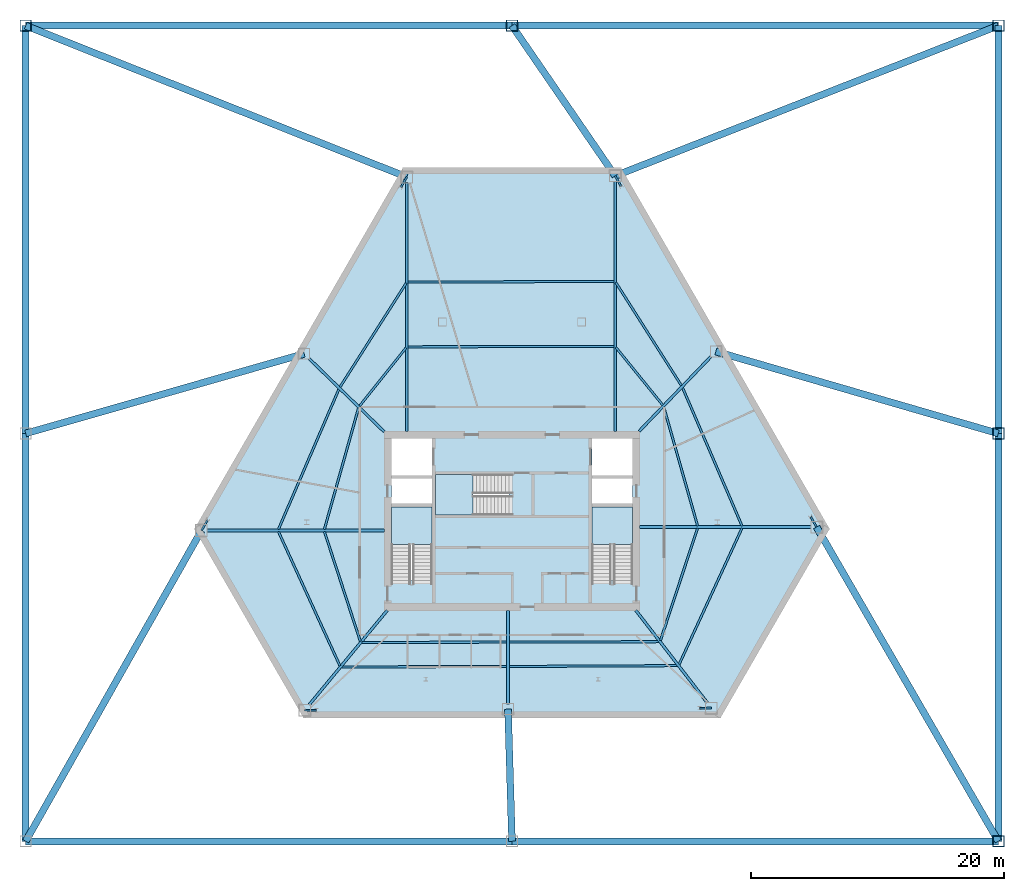
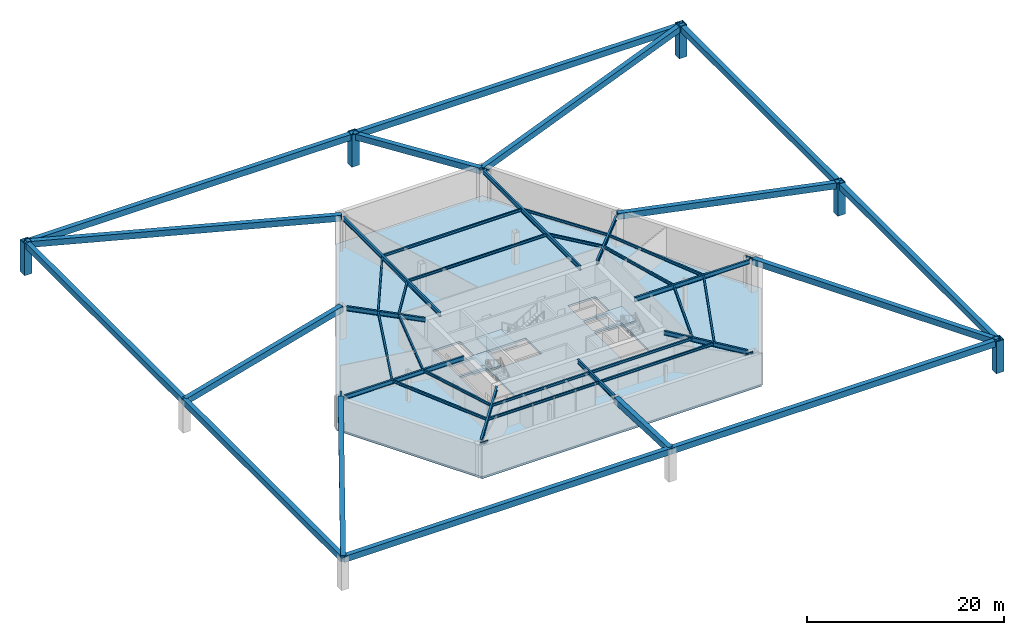
# One storey, part 5 of 8: 49 beams, 5 columns, 4 slabs, 3 elements without a shape of their own.
"""IFC4 building model written with IfcOpenShell, lengths in metres."""

from ifc_helpers import new_model, si_unit, direction, frame, origin, origin_2d, place, context, subcontext, project, spatial, polyline, hollow_rectangle, i_section, outline, extrude, material, layer, layer_set, material_profile, profile_set, type_object, element, aggregate, save


model = new_model("IFC4")

# Units and contexts
model_context = context("Model", 3, precision=1e-05, world=origin(), true_north=direction((0.0, 1.0)))
body_context = subcontext(model_context, "Body", "Model", "MODEL_VIEW")
ifc_project = project(units=[si_unit("LENGTHUNIT", "METRE"), si_unit("AREAUNIT", "SQUARE_METRE"), si_unit("VOLUMEUNIT", "CUBIC_METRE"), si_unit("PLANEANGLEUNIT", "RADIAN"), si_unit("MASSUNIT", "GRAM", prefix="KILO")], contexts=[model_context])

# Site, building, storey
site_placement = place(None, origin())
site = spatial("IfcSite", under=ifc_project, at=site_placement, CompositionType="ELEMENT")
building_placement = place(site_placement, origin())
building = spatial("IfcBuilding", under=site, at=building_placement, Name="Kavelnor Concourse Tower", CompositionType="ELEMENT")
storey_placement = place(building_placement, frame((0.0, 0.0, -4.199951171875)))
storey = spatial("IfcBuildingStorey", under=building, at=storey_placement, Name="B01", CompositionType="ELEMENT", Elevation=-4.199951171875)

# Columns
ifc_material_1 = material(Name="Steel Grade 350", Category="steel")
ifc_material_profile_1 = material_profile(ifc_material_1, hollow_rectangle(XDim=0.89990234375, YDim=0.89990234375, WallThickness=0.0380859375, at=origin_2d()), Name="SHS 900x900x38")
ifc_profile_set_1 = profile_set([ifc_material_profile_1], Name="Steel Grade 350")
column_type = type_object("IfcColumnType", Name="COL-MEGA-900", PredefinedType="COLUMN", material=ifc_profile_set_1)
for number, where, z_axis, x_axis, name in (
    (1, (76.39990234375, -9.199951171875, 0.0), (0.0, 0.0, 1.0), (1.0, 0.0, 0.0), "B01 Plaza Support Column PLZ-SE"),
    (2, (76.39990234375, 23.0, 0.0), (0.0, 0.0, 1.0), (1.0, 0.0, 0.0), "B01 Plaza Support Column PLZ-E"),
    (3, (76.39990234375, 55.199951171875, 0.0), (0.0, 0.0, 1.0), (1.0, 0.0, 0.0), "B01 Plaza Support Column PLZ-NE"),
    (4, (38.0, 55.199951171875, 0.0), (0.0, 0.0, 1.0), (1.0, 0.0, 0.0), "B01 Plaza Support Column PLZ-N"),
    (5, (-0.39990234375, 55.199951171875, 0.0), (0.0, 0.0, 1.0), (1.0, 0.0, 0.0), "B01 Plaza Support Column PLZ-NW"),
):
    element("IfcColumn", number, at=place(storey_placement, frame(where, z_axis=z_axis, x_axis=x_axis)), inside=storey, type_object=column_type, Name=name, PredefinedType="COLUMN", context=body_context, shape_type="SweptSolid", body=[
        extrude(hollow_rectangle(XDim=0.89990234375, YDim=0.89990234375, WallThickness=0.0380859375, at=origin_2d()), origin(), (0.0, 0.0, 1.0), 3.97998046875),
    ])

# Beams
ifc_material_profile_2 = material_profile(ifc_material_1, i_section(OverallWidth=0.166015625, OverallDepth=0.306884765625, WebThickness=0.006591796875, FlangeThickness=0.01171875, at=origin_2d()), Name="310UB46")
ifc_profile_set_2 = profile_set([ifc_material_profile_2], Name="Steel Grade 350")
beam_type_1 = type_object("IfcBeamType", Name="BM-JOIST-310", PredefinedType="JOIST", material=ifc_profile_set_2)
beam_1_placement = place(storey_placement, frame((23.188720703125, 15.24609375, 3.786376953125), z_axis=(0.311389535049, -0.950282356703, 0.0), x_axis=(0.950282356703, 0.311389535049, 0.0)))
element("IfcBeam", 6, at=beam_1_placement, inside=storey, type_object=beam_type_1, Name="B01 Composite Floor Joist 01-1", PredefinedType="JOIST", context=body_context, shape_type="SweptSolid", body=[
    extrude(i_section(OverallWidth=0.166015625, OverallDepth=0.306884765625, WebThickness=0.006591796875, FlangeThickness=0.01171875, at=origin_2d()), origin(), (0.0, 0.0, 1.0), 9.105712890625),
])
beam_2_placement = place(storey_placement, frame((19.5576171875, 15.250244140625, 3.786376953125), z_axis=(0.416568886503, -0.909104153988, 0.0), x_axis=(0.909104153988, 0.416568886503, 0.0)))
element("IfcBeam", 7, at=beam_2_placement, inside=storey, type_object=beam_type_1, Name="B01 Composite Floor Joist 01-2", PredefinedType="JOIST", context=body_context, shape_type="SweptSolid", body=[
    extrude(i_section(OverallWidth=0.166015625, OverallDepth=0.306884765625, WebThickness=0.006591796875, FlangeThickness=0.01171875, at=origin_2d()), origin(), (0.0, 0.0, 1.0), 11.656494140625),
])
beam_3_placement = place(storey_placement, frame((26.15283203125, 6.5, 3.786376953125), z_axis=(0.999997855186, 0.002071140453, 0.0), x_axis=(-0.002071140453, 0.999997855186, 0.0)))
element("IfcBeam", 8, at=beam_3_placement, inside=storey, type_object=beam_type_1, Name="B01 Composite Floor Joist 02-1", PredefinedType="JOIST", context=body_context, shape_type="SweptSolid", body=[
    extrude(i_section(OverallWidth=0.166015625, OverallDepth=0.306884765625, WebThickness=0.006591796875, FlangeThickness=0.01171875, at=origin_2d()), origin(), (0.0, 0.0, 1.0), 11.43408203125),
])
beam_4_placement = place(storey_placement, frame((24.55224609375, 4.564453125, 3.786376953125), z_axis=(0.999996362753, 0.002697124485, 0.0), x_axis=(-0.002697124485, 0.999996362753, 0.0)))
element("IfcBeam", 9, at=beam_4_placement, inside=storey, type_object=beam_type_1, Name="B01 Composite Floor Joist 02-2", PredefinedType="JOIST", context=body_context, shape_type="SweptSolid", body=[
    extrude(i_section(OverallWidth=0.166015625, OverallDepth=0.306884765625, WebThickness=0.006591796875, FlangeThickness=0.01171875, at=origin_2d()), origin(), (0.0, 0.0, 1.0), 13.03466796875),
])
beam_5_placement = place(storey_placement, frame((37.782958984375, 6.5244140625, 3.786376953125), z_axis=(0.999995630485, 0.002956181654, 0.0), x_axis=(-0.002956181654, 0.999995630485, 0.0)))
element("IfcBeam", 10, at=beam_5_placement, inside=storey, type_object=beam_type_1, Name="B01 Composite Floor Joist 03-1", PredefinedType="JOIST", context=body_context, shape_type="SweptSolid", body=[
    extrude(i_section(OverallWidth=0.166015625, OverallDepth=0.306884765625, WebThickness=0.006591796875, FlangeThickness=0.01171875, at=origin_2d()), origin(), (0.0, 0.0, 1.0), 11.809814453125),
])
beam_6_placement = place(storey_placement, frame((37.782958984375, 4.6005859375, 3.786376953125), z_axis=(0.999986830206, 0.005132193915, 0.0), x_axis=(-0.005132193915, 0.999986830206, 0.0)))
element("IfcBeam", 11, at=beam_6_placement, inside=storey, type_object=beam_type_1, Name="B01 Composite Floor Joist 03-2", PredefinedType="JOIST", context=body_context, shape_type="SweptSolid", body=[
    extrude(i_section(OverallWidth=0.166015625, OverallDepth=0.306884765625, WebThickness=0.006591796875, FlangeThickness=0.01171875, at=origin_2d()), origin(), (0.0, 0.0, 1.0), 13.272216796875),
])
beam_7_placement = place(storey_placement, frame((49.721435546875, 6.652587890625, 3.786376953125), z_axis=(0.313756274904, 0.949503554474, 0.0), x_axis=(-0.949503554474, 0.313756274904, 0.0)))
element("IfcBeam", 12, at=beam_7_placement, inside=storey, type_object=beam_type_1, Name="B01 Composite Floor Joist 04-1", PredefinedType="JOIST", context=body_context, shape_type="SweptSolid", body=[
    extrude(i_section(OverallWidth=0.166015625, OverallDepth=0.306884765625, WebThickness=0.006591796875, FlangeThickness=0.01171875, at=origin_2d()), origin(), (0.0, 0.0, 1.0), 9.339111328125),
])
beam_8_placement = place(storey_placement, frame((51.194091796875, 4.75830078125, 3.786376953125), z_axis=(0.418880576802, 0.908041332968, 0.0), x_axis=(-0.908041332968, 0.418880576802, 0.0)))
element("IfcBeam", 13, at=beam_8_placement, inside=storey, type_object=beam_type_1, Name="B01 Composite Floor Joist 04-2", PredefinedType="JOIST", context=body_context, shape_type="SweptSolid", body=[
    extrude(i_section(OverallWidth=0.166015625, OverallDepth=0.306884765625, WebThickness=0.006591796875, FlangeThickness=0.01171875, at=origin_2d()), origin(), (0.0, 0.0, 1.0), 11.856201171875),
])
beam_9_placement = place(storey_placement, frame((52.655517578125, 15.70751953125, 3.786376953125), z_axis=(-0.273853851398, 0.961771317972, 0.0), x_axis=(-0.961771317972, -0.273853851398, 0.0)))
element("IfcBeam", 14, at=beam_9_placement, inside=storey, type_object=beam_type_1, Name="B01 Composite Floor Joist 05-1", PredefinedType="JOIST", context=body_context, shape_type="SweptSolid", body=[
    extrude(i_section(OverallWidth=0.166015625, OverallDepth=0.306884765625, WebThickness=0.006591796875, FlangeThickness=0.01171875, at=origin_2d()), origin(), (0.0, 0.0, 1.0), 9.7421875),
])
beam_10_placement = place(storey_placement, frame((56.162841796875, 15.703125, 3.786376953125), z_axis=(-0.39521166435, 0.918590082878, 0.0), x_axis=(-0.918590082878, -0.39521166435, 0.0)))
element("IfcBeam", 15, at=beam_10_placement, inside=storey, type_object=beam_type_1, Name="B01 Composite Floor Joist 05-2", PredefinedType="JOIST", context=body_context, shape_type="SweptSolid", body=[
    extrude(i_section(OverallWidth=0.166015625, OverallDepth=0.306884765625, WebThickness=0.006591796875, FlangeThickness=0.01171875, at=origin_2d()), origin(), (0.0, 0.0, 1.0), 11.875),
])
beam_11_placement = place(storey_placement, frame((49.89892578125, 25.247802734375, 3.786376953125), z_axis=(-0.630228598423, 0.776409630112, 0.0), x_axis=(-0.776409630112, -0.630228598423, 0.0)))
element("IfcBeam", 16, at=beam_11_placement, inside=storey, type_object=beam_type_1, Name="B01 Composite Floor Joist 06-1", PredefinedType="JOIST", context=body_context, shape_type="SweptSolid", body=[
    extrude(i_section(OverallWidth=0.166015625, OverallDepth=0.306884765625, WebThickness=0.006591796875, FlangeThickness=0.01171875, at=origin_2d()), origin(), (0.0, 0.0, 1.0), 5.85888671875),
])
beam_12_placement = place(storey_placement, frame((51.37841796875, 26.783935546875, 3.786376953125), z_axis=(-0.53695899009, 0.843608346901, 0.0), x_axis=(-0.843608346901, -0.53695899009, 0.0)))
element("IfcBeam", 17, at=beam_12_placement, inside=storey, type_object=beam_type_1, Name="B01 Composite Floor Joist 06-2", PredefinedType="JOIST", context=body_context, shape_type="SweptSolid", body=[
    extrude(i_section(OverallWidth=0.166015625, OverallDepth=0.306884765625, WebThickness=0.006591796875, FlangeThickness=0.01171875, at=origin_2d()), origin(), (0.0, 0.0, 1.0), 9.648681640625),
])
for number, where, z_axis, x_axis, name in (
    (18, (46.046875, 29.87255859375, 3.786376953125), (-0.999998293455, -0.001847453965, 0.0), (0.001847453965, -0.999998293455, 0.0), "B01 Composite Floor Joist 07-1"),
    (19, (46.046875, 35.005859375, 3.786376953125), (-0.999994639343, -0.003274337339, 0.0), (0.003274337339, -0.999994639343, 0.0), "B01 Composite Floor Joist 07-2"),
):
    element("IfcBeam", number, at=place(storey_placement, frame(where, z_axis=z_axis, x_axis=x_axis)), inside=storey, type_object=beam_type_1, Name=name, PredefinedType="JOIST", context=body_context, shape_type="SweptSolid", body=[
        extrude(i_section(OverallWidth=0.166015625, OverallDepth=0.306884765625, WebThickness=0.006591796875, FlangeThickness=0.01171875, at=origin_2d()), origin(), (0.0, 0.0, 1.0), 16.25439453125),
    ])
beam_13_placement = place(storey_placement, frame((29.633544921875, 29.765625, 3.786376953125), z_axis=(-0.623717898065, -0.781649527367, 0.0), x_axis=(0.781649527367, -0.623717898065, 0.0)))
element("IfcBeam", 20, at=beam_13_placement, inside=storey, type_object=beam_type_1, Name="B01 Composite Floor Joist 08-1", PredefinedType="JOIST", context=body_context, shape_type="SweptSolid", body=[
    extrude(i_section(OverallWidth=0.166015625, OverallDepth=0.306884765625, WebThickness=0.006591796875, FlangeThickness=0.01171875, at=origin_2d()), origin(), (0.0, 0.0, 1.0), 5.883544921875),
])
beam_14_placement = place(storey_placement, frame((29.64208984375, 34.86962890625, 3.786376953125), z_axis=(-0.536966474052, -0.843603583293, 0.0), x_axis=(0.843603583293, -0.536966474052, 0.0)))
element("IfcBeam", 21, at=beam_14_placement, inside=storey, type_object=beam_type_1, Name="B01 Composite Floor Joist 08-2", PredefinedType="JOIST", context=body_context, shape_type="SweptSolid", body=[
    extrude(i_section(OverallWidth=0.166015625, OverallDepth=0.306884765625, WebThickness=0.006591796875, FlangeThickness=0.01171875, at=origin_2d()), origin(), (0.0, 0.0, 1.0), 9.72314453125),
])
beam_15_placement = place(storey_placement, frame((25.876220703125, 24.995849609375, 3.786376953125), z_axis=(-0.270934178877, -0.962597875915, 0.0), x_axis=(0.962597875915, -0.270934178877, 0.0)))
element("IfcBeam", 22, at=beam_15_placement, inside=storey, type_object=beam_type_1, Name="B01 Composite Floor Joist 09-1", PredefinedType="JOIST", context=body_context, shape_type="SweptSolid", body=[
    extrude(i_section(OverallWidth=0.166015625, OverallDepth=0.306884765625, WebThickness=0.006591796875, FlangeThickness=0.01171875, at=origin_2d()), origin(), (0.0, 0.0, 1.0), 9.933837890625),
])
beam_16_placement = place(storey_placement, frame((24.329833984375, 26.494384765625, 3.786376953125), z_axis=(-0.396157757057, -0.91818246091, 0.0), x_axis=(0.91818246091, -0.396157757057, 0.0)))
element("IfcBeam", 23, at=beam_16_placement, inside=storey, type_object=beam_type_1, Name="B01 Composite Floor Joist 09-2", PredefinedType="JOIST", context=body_context, shape_type="SweptSolid", body=[
    extrude(i_section(OverallWidth=0.166015625, OverallDepth=0.306884765625, WebThickness=0.006591796875, FlangeThickness=0.01171875, at=origin_2d()), origin(), (0.0, 0.0, 1.0), 12.05126953125),
])
ifc_material_profile_3 = material_profile(ifc_material_1, i_section(OverallWidth=0.134033203125, OverallDepth=0.20703125, WebThickness=0.00634765625, FlangeThickness=0.009521484375, at=origin_2d()), Name="200UB29")
ifc_profile_set_3 = profile_set([ifc_material_profile_3], Name="Steel Grade 350")
beam_type_2 = type_object("IfcBeamType", Name="BM-LINTEL-200", PredefinedType="LINTEL", material=ifc_profile_set_3)
for number, where, z_axis, x_axis, name in (
    (24, (29.694580078125, 43.248779296875, 3.83642578125), (-0.502464100164, -0.864598073122, 0.0), (0.864598073122, -0.502464100164, 0.0), "B01 Pier Stiffener Header Lintel F0-A"),
    (25, (13.479736328125, 15.33935546875, 3.83642578125), (0.502464100164, 0.864598073122, 0.0), (-0.864598073122, 0.502464100164, 0.0), "B01 Pier Stiffener Header Lintel F0-B"),
    (26, (21.62451171875, 1.142333984375, 3.83642578125), (0.99998401611, 0.005653983129, 0.0), (-0.005653983129, 0.99998401611, 0.0), "B01 Pier Stiffener Header Lintel F1-A"),
):
    element("IfcBeam", number, at=place(storey_placement, frame(where, z_axis=z_axis, x_axis=x_axis)), inside=storey, type_object=beam_type_2, Name=name, PredefinedType="LINTEL", context=body_context, shape_type="SweptSolid", body=[
        extrude(i_section(OverallWidth=0.134033203125, OverallDepth=0.20703125, WebThickness=0.00634765625, FlangeThickness=0.009521484375, at=origin_2d()), origin(), (0.0, 0.0, 1.0), 0.949951171875),
    ])
beam_17_placement = place(storey_placement, frame((53.74560546875, 1.317626953125, 3.83642578125), z_axis=(-0.999985443618, -0.005395604912, 0.0), x_axis=(0.005395604912, -0.999985443618, 0.0)))
element("IfcBeam", 27, at=beam_17_placement, inside=storey, type_object=beam_type_2, Name="B01 Pier Stiffener Header Lintel F1-B", PredefinedType="LINTEL", context=body_context, shape_type="SweptSolid", body=[
    extrude(i_section(OverallWidth=0.134033203125, OverallDepth=0.20703125, WebThickness=0.00634765625, FlangeThickness=0.009521484375, at=origin_2d()), origin(), (0.0, 0.0, 1.0), 0.9501953125),
])
for number, where, z_axis, x_axis, name in (
    (28, (62.05078125, 15.61328125, 3.83642578125), (-0.49757753053, 0.867419506993, 0.0), (-0.867419506993, -0.49757753053, 0.0), "B01 Pier Stiffener Header Lintel F2-A"),
    (29, (46.144775390625, 43.338623046875, 3.83642578125), (0.49757753053, -0.867419506993, 0.0), (0.867419506993, 0.49757753053, 0.0), "B01 Pier Stiffener Header Lintel F2-B"),
):
    element("IfcBeam", number, at=place(storey_placement, frame(where, z_axis=z_axis, x_axis=x_axis)), inside=storey, type_object=beam_type_2, Name=name, PredefinedType="LINTEL", context=body_context, shape_type="SweptSolid", body=[
        extrude(i_section(OverallWidth=0.134033203125, OverallDepth=0.20703125, WebThickness=0.00634765625, FlangeThickness=0.009521484375, at=origin_2d()), origin(), (0.0, 0.0, 1.0), 0.949951171875),
    ])
ifc_material_profile_4 = material_profile(ifc_material_1, i_section(OverallWidth=0.208984375, OverallDepth=0.528076171875, WebThickness=0.009521484375, FlangeThickness=0.01318359375, at=origin_2d()), Name="530UB82")
ifc_profile_set_4 = profile_set([ifc_material_profile_4], Name="Steel Grade 350")
beam_type_3 = type_object("IfcBeamType", Name="BM-PRIMARY-530", PredefinedType="BEAM", material=ifc_profile_set_4)
beam_18_placement = place(storey_placement, frame((46.144775390625, 23.159912109375, 3.676025390625), z_axis=(0.0, 1.0, 0.0), x_axis=(-1.0, 0.0, 0.0)))
element("IfcBeam", 30, at=beam_18_placement, inside=storey, type_object=beam_type_3, Name="B01 Primary Floor Girder MC-V0", PredefinedType="BEAM", context=body_context, shape_type="SweptSolid", body=[
    extrude(i_section(OverallWidth=0.208984375, OverallDepth=0.528076171875, WebThickness=0.009521484375, FlangeThickness=0.01318359375, at=origin_2d()), origin(), (0.0, 0.0, 1.0), 19.74365234375),
])
beam_19_placement = place(storey_placement, frame((29.694580078125, 23.159912109375, 3.676025390625), z_axis=(0.0, 1.0, 0.0), x_axis=(-1.0, 0.0, 0.0)))
element("IfcBeam", 31, at=beam_19_placement, inside=storey, type_object=beam_type_3, Name="B01 Primary Floor Girder MC-V1", PredefinedType="BEAM", context=body_context, shape_type="SweptSolid", body=[
    extrude(i_section(OverallWidth=0.208984375, OverallDepth=0.528076171875, WebThickness=0.009521484375, FlangeThickness=0.01318359375, at=origin_2d()), origin(), (0.0, 0.0, 1.0), 19.654052734375),
])
beam_20_placement = place(storey_placement, frame((27.919921875, 15.33935546875, 3.676025390625), z_axis=(-1.0, 0.0, 0.0), x_axis=(0.0, -1.0, 0.0)))
element("IfcBeam", 32, at=beam_20_placement, inside=storey, type_object=beam_type_3, Name="B01 Primary Floor Girder MC-V2", PredefinedType="BEAM", context=body_context, shape_type="SweptSolid", body=[
    extrude(i_section(OverallWidth=0.208984375, OverallDepth=0.528076171875, WebThickness=0.009521484375, FlangeThickness=0.01318359375, at=origin_2d()), origin(), (0.0, 0.0, 1.0), 14.005126953125),
])
beam_21_placement = place(storey_placement, frame((28.147705078125, 9.03076171875, 3.676025390625), z_axis=(-0.6372836995, -0.770629279454, 0.0), x_axis=(0.770629279454, -0.6372836995, 0.0)))
element("IfcBeam", 33, at=beam_21_placement, inside=storey, type_object=beam_type_3, Name="B01 Primary Floor Girder MC-V3", PredefinedType="BEAM", context=body_context, shape_type="SweptSolid", body=[
    extrude(i_section(OverallWidth=0.208984375, OverallDepth=0.528076171875, WebThickness=0.009521484375, FlangeThickness=0.01318359375, at=origin_2d()), origin(), (0.0, 0.0, 1.0), 9.65966796875),
])
beam_22_placement = place(storey_placement, frame((47.778564453125, 9.031494140625, 3.676025390625), z_axis=(0.611849576127, -0.790974143821, 0.0), x_axis=(0.790974143821, 0.611849576127, 0.0)))
element("IfcBeam", 34, at=beam_22_placement, inside=storey, type_object=beam_type_3, Name="B01 Primary Floor Girder MC-V4", PredefinedType="BEAM", context=body_context, shape_type="SweptSolid", body=[
    extrude(i_section(OverallWidth=0.208984375, OverallDepth=0.528076171875, WebThickness=0.009521484375, FlangeThickness=0.01318359375, at=origin_2d()), origin(), (0.0, 0.0, 1.0), 9.19189453125),
])
beam_23_placement = place(storey_placement, frame((48.080078125, 15.61328125, 3.676025390625), z_axis=(1.0, 0.0, 0.0), x_axis=(0.0, 1.0, 0.0)))
element("IfcBeam", 35, at=beam_23_placement, inside=storey, type_object=beam_type_3, Name="B01 Primary Floor Girder MC-V5", PredefinedType="BEAM", context=body_context, shape_type="SweptSolid", body=[
    extrude(i_section(OverallWidth=0.208984375, OverallDepth=0.528076171875, WebThickness=0.009521484375, FlangeThickness=0.01318359375, at=origin_2d()), origin(), (0.0, 0.0, 1.0), 13.535888671875),
])
beam_24_placement = place(storey_placement, frame((27.90869140625, 23.135986328125, 3.676025390625), z_axis=(-0.716308596755, 0.697783629942, 0.0), x_axis=(-0.697783629942, -0.716308596755, 0.0)))
element("IfcBeam", 36, at=beam_24_placement, inside=storey, type_object=beam_type_3, Name="B01 Primary Floor Girder MC-F0", PredefinedType="BEAM", context=body_context, shape_type="SweptSolid", body=[
    extrude(i_section(OverallWidth=0.208984375, OverallDepth=0.528076171875, WebThickness=0.009521484375, FlangeThickness=0.01318359375, at=origin_2d()), origin(), (0.0, 0.0, 1.0), 8.23681640625),
])
beam_25_placement = place(storey_placement, frame((37.68505859375, 9.0400390625, 3.676025390625), z_axis=(0.0, -1.0, 0.0), x_axis=(1.0, 0.0, 0.0)))
element("IfcBeam", 37, at=beam_25_placement, inside=storey, type_object=beam_type_3, Name="B01 Primary Floor Girder MC-F1", PredefinedType="BEAM", context=body_context, shape_type="SweptSolid", body=[
    extrude(i_section(OverallWidth=0.208984375, OverallDepth=0.528076171875, WebThickness=0.009521484375, FlangeThickness=0.01318359375, at=origin_2d()), origin(), (0.0, 0.0, 1.0), 7.400146484375),
])
beam_26_placement = place(storey_placement, frame((48.037841796875, 23.171142578125, 3.676025390625), z_axis=(0.692982555638, 0.72095435194, 0.0), x_axis=(-0.72095435194, 0.692982555638, 0.0)))
element("IfcBeam", 38, at=beam_26_placement, inside=storey, type_object=beam_type_3, Name="B01 Primary Floor Girder MC-F2", PredefinedType="BEAM", context=body_context, shape_type="SweptSolid", body=[
    extrude(i_section(OverallWidth=0.208984375, OverallDepth=0.528076171875, WebThickness=0.009521484375, FlangeThickness=0.01318359375, at=origin_2d()), origin(), (0.0, 0.0, 1.0), 8.160888671875),
])
ifc_material_profile_5 = material_profile(ifc_material_1, hollow_rectangle(XDim=0.550048828125, YDim=0.75, WallThickness=0.034912109375, at=origin_2d()), Name="RHS 750x550x35")
ifc_profile_set_5 = profile_set([ifc_material_profile_5], Name="Steel Grade 350")
beam_type_4 = type_object("IfcBeamType", Name="BM-XFER-CHORD-750", PredefinedType="BEAM", material=ifc_profile_set_5)
for number, where, z_axis, x_axis, name in (
    (39, (-0.39990234375, -9.199951171875, 3.60498046875), (1.0, 0.0, 0.0), (0.0, 1.0, 0.0), "B01 Street Plaza Edge Girder 01"),
    (40, (38.0, -9.199951171875, 3.60498046875), (1.0, 0.0, 0.0), (0.0, 1.0, 0.0), "B01 Street Plaza Edge Girder 02"),
):
    element("IfcBeam", number, at=place(storey_placement, frame(where, z_axis=z_axis, x_axis=x_axis)), inside=storey, type_object=beam_type_4, Name=name, PredefinedType="BEAM", context=body_context, shape_type="SweptSolid", body=[
        extrude(hollow_rectangle(XDim=0.550048828125, YDim=0.75, WallThickness=0.034912109375, at=origin_2d()), origin(), (0.0, 0.0, 1.0), 38.39990234375),
    ])
for number, where, z_axis, x_axis, name in (
    (41, (76.39990234375, -9.199951171875, 3.60498046875), (0.0, 1.0, 0.0), (-1.0, 0.0, 0.0), "B01 Street Plaza Edge Girder 03"),
    (42, (76.39990234375, 23.0, 3.60498046875), (0.0, 1.0, 0.0), (-1.0, 0.0, 0.0), "B01 Street Plaza Edge Girder 04"),
):
    element("IfcBeam", number, at=place(storey_placement, frame(where, z_axis=z_axis, x_axis=x_axis)), inside=storey, type_object=beam_type_4, Name=name, PredefinedType="BEAM", context=body_context, shape_type="SweptSolid", body=[
        extrude(hollow_rectangle(XDim=0.550048828125, YDim=0.75, WallThickness=0.034912109375, at=origin_2d()), origin(), (0.0, 0.0, 1.0), 32.199951171875),
    ])
for number, where, z_axis, x_axis, name in (
    (43, (76.39990234375, 55.199951171875, 3.60498046875), (-1.0, 0.0, 0.0), (0.0, -1.0, 0.0), "B01 Street Plaza Edge Girder 05"),
    (44, (38.0, 55.199951171875, 3.60498046875), (-1.0, 0.0, 0.0), (0.0, -1.0, 0.0), "B01 Street Plaza Edge Girder 06"),
):
    element("IfcBeam", number, at=place(storey_placement, frame(where, z_axis=z_axis, x_axis=x_axis)), inside=storey, type_object=beam_type_4, Name=name, PredefinedType="BEAM", context=body_context, shape_type="SweptSolid", body=[
        extrude(hollow_rectangle(XDim=0.550048828125, YDim=0.75, WallThickness=0.034912109375, at=origin_2d()), origin(), (0.0, 0.0, 1.0), 38.39990234375),
    ])
for number, where, z_axis, x_axis, name in (
    (45, (-0.39990234375, 55.199951171875, 3.60498046875), (0.0, -1.0, 0.0), (1.0, 0.0, 0.0), "B01 Street Plaza Edge Girder 07"),
    (46, (-0.39990234375, 23.0, 3.60498046875), (0.0, -1.0, 0.0), (1.0, 0.0, 0.0), "B01 Street Plaza Edge Girder 08"),
):
    element("IfcBeam", number, at=place(storey_placement, frame(where, z_axis=z_axis, x_axis=x_axis)), inside=storey, type_object=beam_type_4, Name=name, PredefinedType="BEAM", context=body_context, shape_type="SweptSolid", body=[
        extrude(hollow_rectangle(XDim=0.550048828125, YDim=0.75, WallThickness=0.034912109375, at=origin_2d()), origin(), (0.0, 0.0, 1.0), 32.199951171875),
    ])
beam_27_placement = place(storey_placement, frame((-0.39990234375, -9.199951171875, 3.60498046875), z_axis=(0.492315191268, 0.870416999172, 0.0), x_axis=(-0.870416999172, 0.492315191268, 0.0)))
element("IfcBeam", 47, at=beam_27_placement, inside=storey, type_object=beam_type_4, Name="B01 Street Plaza Radial Support Girder 01", PredefinedType="BEAM", context=body_context, shape_type="SweptSolid", body=[
    extrude(hollow_rectangle(XDim=0.550048828125, YDim=0.75, WallThickness=0.034912109375, at=origin_2d()), origin(), (0.0, 0.0, 1.0), 28.192626953125),
])
beam_28_placement = place(storey_placement, frame((38.0, -9.199951171875, 3.60498046875), z_axis=(-0.030182165561, 0.999544414662, 0.0), x_axis=(-0.999544414662, -0.030182165561, 0.0)))
element("IfcBeam", 48, at=beam_28_placement, inside=storey, type_object=beam_type_4, Name="B01 Street Plaza Radial Support Girder 02", PredefinedType="BEAM", context=body_context, shape_type="SweptSolid", body=[
    extrude(hollow_rectangle(XDim=0.550048828125, YDim=0.75, WallThickness=0.034912109375, at=origin_2d()), origin(), (0.0, 0.0, 1.0), 10.4345703125),
])
beam_29_placement = place(storey_placement, frame((76.39990234375, -9.199951171875, 3.60498046875), z_axis=(-0.50060678261, 0.865674794137, 0.0), x_axis=(-0.865674794137, -0.50060678261, 0.0)))
element("IfcBeam", 49, at=beam_29_placement, inside=storey, type_object=beam_type_4, Name="B01 Street Plaza Radial Support Girder 03", PredefinedType="BEAM", context=body_context, shape_type="SweptSolid", body=[
    extrude(hollow_rectangle(XDim=0.550048828125, YDim=0.75, WallThickness=0.034912109375, at=origin_2d()), origin(), (0.0, 0.0, 1.0), 28.66357421875),
])
beam_30_placement = place(storey_placement, frame((38.0, 55.199951171875, 3.60498046875), z_axis=(0.56606209561, -0.824362604631, 0.0), x_axis=(0.824362604631, 0.56606209561, 0.0)))
element("IfcBeam", 50, at=beam_30_placement, inside=storey, type_object=beam_type_4, Name="B01 Street Plaza Radial Support Girder 04", PredefinedType="BEAM", context=body_context, shape_type="SweptSolid", body=[
    extrude(hollow_rectangle(XDim=0.550048828125, YDim=0.75, WallThickness=0.034912109375, at=origin_2d()), origin(), (0.0, 0.0, 1.0), 14.388427734375),
])
beam_31_placement = place(storey_placement, frame((-0.39990234375, 55.199951171875, 3.60498046875), z_axis=(0.929396270343, -0.369083422375, 0.0), x_axis=(0.369083422375, 0.929396270343, 0.0)))
element("IfcBeam", 51, at=beam_31_placement, inside=storey, type_object=beam_type_4, Name="B01 Street Plaza Radial Support Girder 05", PredefinedType="BEAM", context=body_context, shape_type="SweptSolid", body=[
    extrude(hollow_rectangle(XDim=0.550048828125, YDim=0.75, WallThickness=0.034912109375, at=origin_2d()), origin(), (0.0, 0.0, 1.0), 32.380615234375),
])
beam_32_placement = place(storey_placement, frame((76.39990234375, 55.199951171875, 3.60498046875), z_axis=(-0.931009042582, -0.364996113172, 0.0), x_axis=(0.364996113172, -0.931009042582, 0.0)))
element("IfcBeam", 52, at=beam_32_placement, inside=storey, type_object=beam_type_4, Name="B01 Street Plaza Radial Support Girder 06", PredefinedType="BEAM", context=body_context, shape_type="SweptSolid", body=[
    extrude(hollow_rectangle(XDim=0.550048828125, YDim=0.75, WallThickness=0.034912109375, at=origin_2d()), origin(), (0.0, 0.0, 1.0), 32.4970703125),
])
beam_33_placement = place(storey_placement, frame((-0.39990234375, 23.0, 3.60498046875), z_axis=(0.961383233501, 0.275213150744, 0.0), x_axis=(-0.275213150744, 0.961383233501, 0.0)))
element("IfcBeam", 53, at=beam_33_placement, inside=storey, type_object=beam_type_4, Name="B01 Street Plaza Radial Support Girder 07", PredefinedType="BEAM", context=body_context, shape_type="SweptSolid", body=[
    extrude(hollow_rectangle(XDim=0.550048828125, YDim=0.75, WallThickness=0.034912109375, at=origin_2d()), origin(), (0.0, 0.0, 1.0), 22.8701171875),
])
beam_34_placement = place(storey_placement, frame((76.39990234375, 23.0, 3.60498046875), z_axis=(-0.96033405843, 0.278852104564, 0.0), x_axis=(-0.278852104564, -0.96033405843, 0.0)))
element("IfcBeam", 54, at=beam_34_placement, inside=storey, type_object=beam_type_4, Name="B01 Street Plaza Radial Support Girder 08", PredefinedType="BEAM", context=body_context, shape_type="SweptSolid", body=[
    extrude(hollow_rectangle(XDim=0.550048828125, YDim=0.75, WallThickness=0.034912109375, at=origin_2d()), origin(), (0.0, 0.0, 1.0), 23.22314453125),
])

# Slab
ifc_material_2 = material(Name="Concrete C40/50", Category="concrete")
ifc_layer_1 = layer(ifc_material_2, 0.25, Name="Concrete C40/50")
ifc_layer_set_1 = layer_set([ifc_layer_1], Name="Concrete C40/50")
slab_type_1 = type_object("IfcSlabType", Name="SLB-BSMT-250", PredefinedType="FLOOR", material=ifc_layer_set_1)
slab_1_placement = place(storey_placement, frame((0.0, 0.0, -0.25)))
element("IfcSlab", 55, at=slab_1_placement, inside=storey, type_object=slab_type_1, Name="B01 Composite Structural Floor Slab", PredefinedType="FLOOR", context=body_context, shape_type="SweptSolid", body=[
    extrude(outline(polyline([(46.5244140625, 43.83544921875), (29.4755859375, 43.83544921875), (13.095703125, 15.464599609375), (21.6201171875, 0.699951171875), (54.3798828125, 0.699951171875), (62.904296875, 15.464599609375), (46.5244140625, 43.83544921875)]), holes=[polyline([(28.47998046875, 11.3798828125), (31.679931640625, 11.3798828125), (31.679931640625, 17.199951171875), (28.47998046875, 17.199951171875), (28.47998046875, 11.3798828125)]), polyline([(44.320068359375, 11.3798828125), (47.52001953125, 11.3798828125), (47.52001953125, 17.199951171875), (44.320068359375, 17.199951171875), (44.320068359375, 11.3798828125)]), polyline([(31.93994140625, 16.56005859375), (37.760009765625, 16.56005859375), (37.760009765625, 19.760009765625), (31.93994140625, 19.760009765625), (31.93994140625, 16.56005859375)]), polyline([(28.47998046875, 19.699951171875), (31.679931640625, 19.699951171875), (31.679931640625, 22.60009765625), (28.47998046875, 22.60009765625), (28.47998046875, 19.699951171875)]), polyline([(44.320068359375, 19.699951171875), (47.52001953125, 19.699951171875), (47.52001953125, 22.60009765625), (44.320068359375, 22.60009765625), (44.320068359375, 19.699951171875)]), polyline([(28.47998046875, 17.4599609375), (31.679931640625, 17.4599609375), (31.679931640625, 19.43994140625), (28.47998046875, 19.43994140625), (28.47998046875, 17.4599609375)]), polyline([(44.320068359375, 17.4599609375), (47.52001953125, 17.4599609375), (47.52001953125, 19.43994140625), (44.320068359375, 19.43994140625), (44.320068359375, 17.4599609375)])]), origin(), (0.0, 0.0, 1.0), 0.25),
])

# Stair, slab
stair_type = type_object("IfcStairType", Name="STR-CORE-1500", PredefinedType="HALF_TURN_STAIR", material=ifc_material_2)
stair_1_placement = place(storey_placement, origin())
stair_1 = element("IfcStair", 56, at=stair_1_placement, inside=storey, type_object=stair_type, Name="B01 ST1", PredefinedType="HALF_TURN_STAIR")
ifc_layer_2 = layer(ifc_material_2, 0.199951171875, Name="Concrete C40/50")
ifc_layer_set_2 = layer_set([ifc_layer_2], Name="Concrete C40/50")
slab_type_2 = type_object("IfcSlabType", Name="SLB-LANDING-200", PredefinedType="LANDING", material=ifc_layer_set_2)
slab_2_placement = place(storey_placement, frame((0.0, 0.0, 1.89990234375)))
slab_2 = element("IfcSlab", 57, at=slab_2_placement, type_object=slab_type_2, Name="ST1 landing 1", PredefinedType="LANDING", context=body_context, shape_type="SweptSolid", body=[
    extrude(outline(polyline([(31.679931640625, 14.235107421875), (31.679931640625, 17.199951171875), (28.47998046875, 17.199951171875), (28.47998046875, 14.235107421875), (31.679931640625, 14.235107421875)])), origin(), (0.0, 0.0, 1.0), 0.199951171875),
])
aggregate(stair_1, [slab_2])

stair_2_placement = place(storey_placement, origin())
stair_2 = element("IfcStair", 58, at=stair_2_placement, inside=storey, type_object=stair_type, Name="B01 ST2", PredefinedType="HALF_TURN_STAIR")
slab_3_placement = place(storey_placement, frame((0.0, 0.0, 1.89990234375)))
slab_3 = element("IfcSlab", 59, at=slab_3_placement, type_object=slab_type_2, Name="ST2 landing 1", PredefinedType="LANDING", context=body_context, shape_type="SweptSolid", body=[
    extrude(outline(polyline([(47.52001953125, 14.235107421875), (47.52001953125, 17.199951171875), (44.320068359375, 17.199951171875), (44.320068359375, 14.235107421875), (47.52001953125, 14.235107421875)])), origin(), (0.0, 0.0, 1.0), 0.199951171875),
])
aggregate(stair_2, [slab_3])

stair_3_placement = place(storey_placement, origin())
stair_3 = element("IfcStair", 60, at=stair_3_placement, inside=storey, type_object=stair_type, Name="B01 ST3", PredefinedType="HALF_TURN_STAIR")
slab_4_placement = place(storey_placement, frame((0.0, 0.0, 1.89990234375)))
slab_4 = element("IfcSlab", 61, at=slab_4_placement, type_object=slab_type_2, Name="ST3 landing 1", PredefinedType="LANDING", context=body_context, shape_type="SweptSolid", body=[
    extrude(outline(polyline([(34.905029296875, 19.760009765625), (31.93994140625, 19.760009765625), (31.93994140625, 16.56005859375), (34.905029296875, 16.56005859375), (34.905029296875, 19.760009765625)])), origin(), (0.0, 0.0, 1.0), 0.199951171875),
])
aggregate(stair_3, [slab_4])

save(model, "model.ifc")
